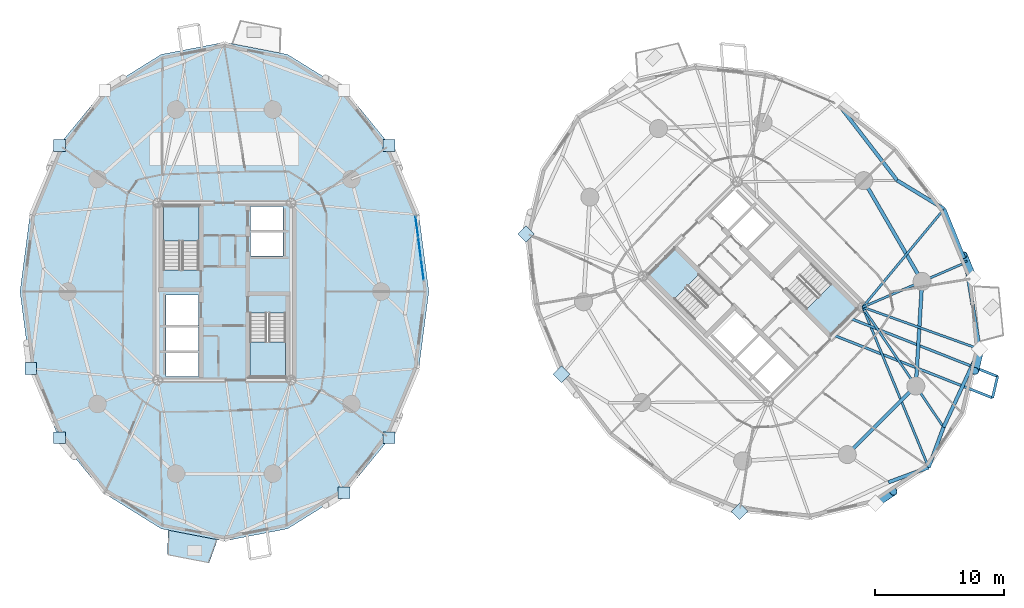
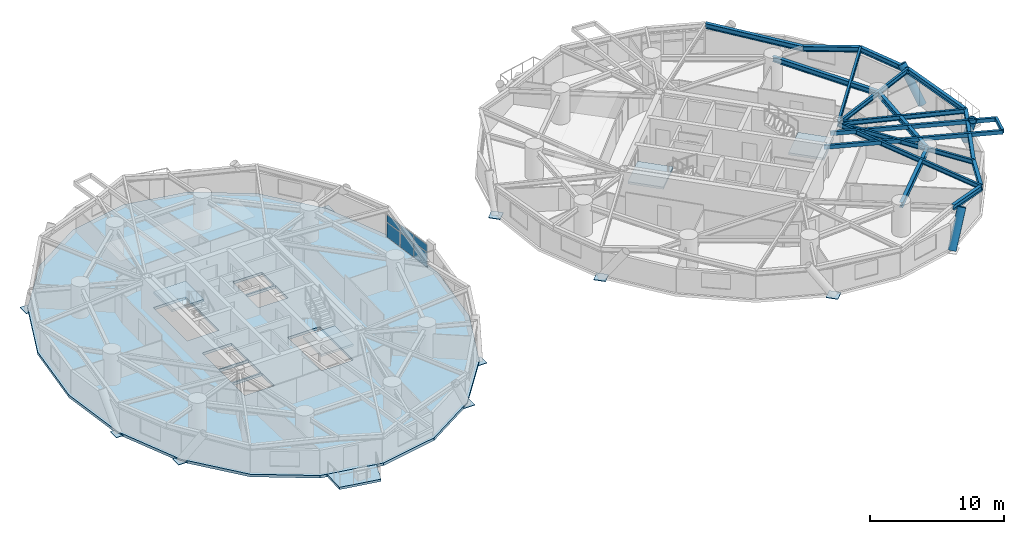
# One storey, part 8 of 18: 18 beams, 15 plates, 6 slabs, 3 members, 5 elements without a shape of their own.
"""IFC4 building model written with IfcOpenShell, lengths in metres."""

from ifc_helpers import new_model, si_unit, direction, frame, origin, origin_2d, place, context, subcontext, project, spatial, polyline, rectangle, hollow_rectangle, hollow_circle, i_section, outline, extrude, source, transform, mapped, material, layer, layer_set, material_profile, profile_set, type_object, element, aggregate, save


model = new_model("IFC4")

# Units and contexts
model_context = context("Model", 3, precision=1e-05, world=origin(), true_north=direction((0.0, 1.0)))
body_context = subcontext(model_context, "Body", "Model", "MODEL_VIEW")
ifc_project = project(units=[si_unit("LENGTHUNIT", "METRE"), si_unit("AREAUNIT", "SQUARE_METRE"), si_unit("VOLUMEUNIT", "CUBIC_METRE"), si_unit("PLANEANGLEUNIT", "RADIAN"), si_unit("MASSUNIT", "GRAM", prefix="KILO")], contexts=[model_context])

# Site, building, storey
site_placement = place(None, origin())
site = spatial("IfcSite", under=ifc_project, at=site_placement, CompositionType="ELEMENT")
building_placement = place(site_placement, origin())
building = spatial("IfcBuilding", under=site, at=building_placement, Name="Cununo Teusaquillo Station Towers", CompositionType="ELEMENT")
storey_placement = place(building_placement, frame((0.0, 0.0, 102.159912109375)))
storey = spatial("IfcBuildingStorey", under=building, at=storey_placement, Name="L32", CompositionType="ELEMENT", Elevation=102.159912109375)

# Beams
ifc_material_1 = material(Name="Steel EN 10025-2 S355J2", Category="steel")
ifc_material_profile_1 = material_profile(ifc_material_1, hollow_rectangle(XDim=0.199951171875, YDim=0.35009765625, WallThickness=0.013916015625, at=origin_2d()), Name="RHS 350x200x14")
ifc_profile_set_1 = profile_set([ifc_material_profile_1], Name="Steel EN 10025-2 S355J2")
beam_type_1 = type_object("IfcBeamType", Name="BM-BAL-CANT", PredefinedType="BEAM", material=ifc_profile_set_1)
beam_1_placement = place(storey_placement, frame((63.593505859375, 21.188720703125, 2.4951171875), z_axis=(0.930217566196, -0.367008555132, 0.0), x_axis=(0.367008555132, 0.930217566196, 0.0)))
element("IfcBeam", 1, at=beam_1_placement, inside=storey, type_object=beam_type_1, Name="L32 Tower B Balcony Cantilever Bracket 2A", PredefinedType="BEAM", context=body_context, shape_type="SweptSolid", body=[
    extrude(hollow_rectangle(XDim=0.199951171875, YDim=0.35009765625, WallThickness=0.013916015625, at=origin_2d()), origin(), (0.0, 0.0, 1.0), 13.44140625),
])
beam_2_placement = place(storey_placement, frame((64.894287109375, 22.48974609375, 2.4951171875), z_axis=(0.930220364523, -0.367001462432, 0.0), x_axis=(0.367001462432, 0.930220364523, 0.0)))
element("IfcBeam", 2, at=beam_2_placement, inside=storey, type_object=beam_type_1, Name="L32 Tower B Balcony Cantilever Bracket 2B", PredefinedType="BEAM", context=body_context, shape_type="SweptSolid", body=[
    extrude(hollow_rectangle(XDim=0.199951171875, YDim=0.35009765625, WallThickness=0.013916015625, at=origin_2d()), origin(), (0.0, 0.0, 1.0), 12.459716796875),
])
ifc_material_2 = material(Name="Steel ASTM A572 Grade 50", Category="steel")
ifc_material_profile_2 = material_profile(ifc_material_2, i_section(OverallWidth=0.180908203125, OverallDepth=0.4169921875, WebThickness=0.010986328125, FlangeThickness=0.018310546875, FilletRadius=0.012939453125, at=origin_2d()), Name="W16X57")
ifc_profile_set_2 = profile_set([ifc_material_profile_2], Name="Steel ASTM A572 Grade 50")
beam_type_2 = type_object("IfcBeamType", Name="BM-JOIST-1", PredefinedType="JOIST", material=ifc_profile_set_2)
beam_3_placement = place(storey_placement, frame((66.024169921875, 23.29443359375, 2.461669921875), z_axis=(0.380485864505, -0.924786735908, 0.0), x_axis=(0.924786735908, 0.380485864505, 0.0)))
element("IfcBeam", 3, at=beam_3_placement, inside=storey, type_object=beam_type_2, Name="L32 Tower B Radial Spandrel Joist V15", PredefinedType="JOIST", context=body_context, shape_type="SweptSolid", body=[
    extrude(i_section(OverallWidth=0.180908203125, OverallDepth=0.4169921875, WebThickness=0.010986328125, FlangeThickness=0.018310546875, FilletRadius=0.012939453125, at=origin_2d()), origin(), (0.0, 0.0, 1.0), 13.44580078125),
])
beam_4_placement = place(storey_placement, frame((66.024169921875, 23.29443359375, 2.461669921875), z_axis=(0.941082771055, -0.338176312038, 0.0), x_axis=(0.338176312038, 0.941082771055, 0.0)))
element("IfcBeam", 4, at=beam_4_placement, inside=storey, type_object=beam_type_2, Name="L32 Tower B Radial Spandrel Joist V17", PredefinedType="JOIST", context=body_context, shape_type="SweptSolid", body=[
    extrude(i_section(OverallWidth=0.180908203125, OverallDepth=0.4169921875, WebThickness=0.010986328125, FlangeThickness=0.018310546875, FilletRadius=0.012939453125, at=origin_2d()), origin(), (0.0, 0.0, 1.0), 9.646484375),
])
beam_5_placement = place(storey_placement, frame((66.024169921875, 23.29443359375, 2.461669921875), z_axis=(0.638372238196, 0.769727799615, 0.0), x_axis=(-0.769727799615, 0.638372238196, 0.0)))
element("IfcBeam", 5, at=beam_5_placement, inside=storey, type_object=beam_type_2, Name="L32 Tower B Radial Spandrel Joist V19", PredefinedType="JOIST", context=body_context, shape_type="SweptSolid", body=[
    extrude(i_section(OverallWidth=0.180908203125, OverallDepth=0.4169921875, WebThickness=0.010986328125, FlangeThickness=0.018310546875, FilletRadius=0.012939453125, at=origin_2d()), origin(), (0.0, 0.0, 1.0), 9.895263671875),
])
ifc_material_3 = material(Name="Steel ASTM A572 Grade 50", Category="steel")
ifc_material_profile_3 = material_profile(ifc_material_3, i_section(OverallWidth=0.180908203125, OverallDepth=0.4169921875, WebThickness=0.010986328125, FlangeThickness=0.018310546875, FilletRadius=0.012939453125, at=origin_2d()), Name="W16X57")
ifc_profile_set_3 = profile_set([ifc_material_profile_3], Name="Steel ASTM A572 Grade 50")
beam_type_3 = type_object("IfcBeamType", Name="BM-RAD-G2", PredefinedType="BEAM", material=ifc_profile_set_3)
beam_6_placement = place(storey_placement, frame((66.024169921875, 23.29443359375, 2.461669921875), z_axis=(0.558572297481, -0.82945583878, 0.0), x_axis=(0.82945583878, 0.558572297481, 0.0)))
element("IfcBeam", 6, at=beam_6_placement, inside=storey, type_object=beam_type_3, Name="L32 Tower B Continuous Overhanging Radial Girder 09", PredefinedType="BEAM", context=body_context, shape_type="SweptSolid", body=[
    extrude(i_section(OverallWidth=0.180908203125, OverallDepth=0.4169921875, WebThickness=0.010986328125, FlangeThickness=0.018310546875, FilletRadius=0.012939453125, at=origin_2d()), origin(), (0.0, 0.0, 1.0), 11.22998046875),
])
beam_7_placement = place(storey_placement, frame((66.024169921875, 23.29443359375, 2.461669921875), z_axis=(0.917654733344, 0.397378648609, 0.0), x_axis=(-0.397378648609, 0.917654733344, 0.0)))
element("IfcBeam", 7, at=beam_7_placement, inside=storey, type_object=beam_type_3, Name="L32 Tower B Continuous Overhanging Radial Girder 10", PredefinedType="BEAM", context=body_context, shape_type="SweptSolid", body=[
    extrude(i_section(OverallWidth=0.180908203125, OverallDepth=0.4169921875, WebThickness=0.010986328125, FlangeThickness=0.018310546875, FilletRadius=0.012939453125, at=origin_2d()), origin(), (0.0, 0.0, 1.0), 8.71484375),
])
ifc_material_4 = material(Name="Steel ASTM A572 Grade 50", Category="steel")
ifc_material_profile_4 = material_profile(ifc_material_4, i_section(OverallWidth=0.280029296875, OverallDepth=0.462890625, WebThickness=0.0107421875, FlangeThickness=0.017333984375, FilletRadius=0.013916015625, at=origin_2d()), Name="W18X76")
ifc_profile_set_4 = profile_set([ifc_material_profile_4], Name="Steel ASTM A572 Grade 50")
beam_type_4 = type_object("IfcBeamType", Name="BM-RING-Z2", PredefinedType="SPANDREL", material=ifc_profile_set_4)
beam_8_placement = place(storey_placement, frame((64.826904296875, 11.853759765625, 2.4384765625), z_axis=(0.707106781187, 0.707106781187, 0.0), x_axis=(-0.707106781187, 0.707106781187, 0.0)))
element("IfcBeam", 8, at=beam_8_placement, inside=storey, type_object=beam_type_4, Name="L32 Tower B Structural Column Ring Girder 08", PredefinedType="SPANDREL", context=body_context, shape_type="SweptSolid", body=[
    extrude(i_section(OverallWidth=0.280029296875, OverallDepth=0.462890625, WebThickness=0.0107421875, FlangeThickness=0.017333984375, FilletRadius=0.013916015625, at=origin_2d()), origin(), (0.0, 0.0, 1.0), 7.522705078125),
])
beam_9_placement = place(storey_placement, frame((70.146240234375, 17.173095703125, 2.4384765625), z_axis=(0.06012979176, 0.998190567048, 0.0), x_axis=(-0.998190567048, 0.06012979176, 0.0)))
element("IfcBeam", 9, at=beam_9_placement, inside=storey, type_object=beam_type_4, Name="L32 Tower B Structural Column Ring Girder 09", PredefinedType="SPANDREL", context=body_context, shape_type="SweptSolid", body=[
    extrude(i_section(OverallWidth=0.280029296875, OverallDepth=0.462890625, WebThickness=0.0107421875, FlangeThickness=0.017333984375, FilletRadius=0.013916015625, at=origin_2d()), origin(), (0.0, 0.0, 1.0), 8.132568359375),
])
beam_10_placement = place(storey_placement, frame((70.63525390625, 25.291015625, 2.4384765625), z_axis=(-0.501311121078, 0.865267103202, 0.0), x_axis=(-0.865267103202, -0.501311121078, 0.0)))
element("IfcBeam", 10, at=beam_10_placement, inside=storey, type_object=beam_type_4, Name="L32 Tower B Structural Column Ring Girder 10", PredefinedType="SPANDREL", context=body_context, shape_type="SweptSolid", body=[
    extrude(i_section(OverallWidth=0.280029296875, OverallDepth=0.462890625, WebThickness=0.0107421875, FlangeThickness=0.017333984375, FilletRadius=0.013916015625, at=origin_2d()), origin(), (0.0, 0.0, 1.0), 9.032958984375),
])
beam_11_placement = place(storey_placement, frame((68.694580078125, 33.12890625, 2.4384765625), z_axis=(-0.610100441726, 0.792324082056, 0.0), x_axis=(-0.792324082056, -0.610100441726, 0.0)))
element("IfcBeam", 11, at=beam_11_placement, inside=storey, type_object=beam_type_4, Name="L32 Tower B Spandrel Ring Beam 01", PredefinedType="SPANDREL", context=body_context, shape_type="SweptSolid", body=[
    extrude(i_section(OverallWidth=0.280029296875, OverallDepth=0.462890625, WebThickness=0.0107421875, FlangeThickness=0.017333984375, FilletRadius=0.013916015625, at=origin_2d()), origin(), (0.0, 0.0, 1.0), 7.84033203125),
])
for number, where, z_axis, x_axis, name in (
    (12, (68.020263671875, 9.703125, 2.4384765625), (0.937628334414, 0.347639333943, 0.0), (-0.347639333943, 0.937628334414, 0.0), "L32 Tower B Spandrel Ring Beam 15"),
    (13, (71.14013671875, 10.85986328125, 2.4384765625), (0.347639333943, 0.937628334414, 0.0), (-0.937628334414, 0.347639333943, 0.0), "L32 Tower B Spandrel Ring Beam 16"),
):
    element("IfcBeam", number, at=place(storey_placement, frame(where, z_axis=z_axis, x_axis=x_axis)), inside=storey, type_object=beam_type_4, Name=name, PredefinedType="SPANDREL", context=body_context, shape_type="SweptSolid", body=[
        extrude(i_section(OverallWidth=0.280029296875, OverallDepth=0.462890625, WebThickness=0.0107421875, FlangeThickness=0.017333984375, FilletRadius=0.013916015625, at=origin_2d()), origin(), (0.0, 0.0, 1.0), 3.327392578125),
    ])
beam_12_placement = place(storey_placement, frame((72.296875, 13.979736328125, 2.4384765625), z_axis=(0.420535961689, 0.907275870354, 0.0), x_axis=(-0.907275870354, 0.420535961689, 0.0)))
element("IfcBeam", 14, at=beam_12_placement, inside=storey, type_object=beam_type_4, Name="L32 Tower B Spandrel Ring Beam 17", PredefinedType="SPANDREL", context=body_context, shape_type="SweptSolid", body=[
    extrude(i_section(OverallWidth=0.280029296875, OverallDepth=0.462890625, WebThickness=0.0107421875, FlangeThickness=0.017333984375, FilletRadius=0.013916015625, at=origin_2d()), origin(), (0.0, 0.0, 1.0), 6.671142578125),
])
beam_13_placement = place(storey_placement, frame((75.102294921875, 20.0322265625, 2.4384765625), z_axis=(-0.158671232312, 0.987331474246, 0.0), x_axis=(-0.987331474246, -0.158671232312, 0.0)))
element("IfcBeam", 15, at=beam_13_placement, inside=storey, type_object=beam_type_4, Name="L32 Tower B Spandrel Ring Beam 18", PredefinedType="SPANDREL", context=body_context, shape_type="SweptSolid", body=[
    extrude(i_section(OverallWidth=0.280029296875, OverallDepth=0.462890625, WebThickness=0.0107421875, FlangeThickness=0.017333984375, FilletRadius=0.013916015625, at=origin_2d()), origin(), (0.0, 0.0, 1.0), 6.8115234375),
])
beam_14_placement = place(storey_placement, frame((74.021484375, 26.757568359375, 2.4384765625), z_axis=(-0.375042266631, 0.927007712072, 0.0), x_axis=(-0.927007712072, -0.375042266631, 0.0)))
element("IfcBeam", 16, at=beam_14_placement, inside=storey, type_object=beam_type_4, Name="L32 Tower B Spandrel Ring Beam 19", PredefinedType="SPANDREL", context=body_context, shape_type="SweptSolid", body=[
    extrude(i_section(OverallWidth=0.280029296875, OverallDepth=0.462890625, WebThickness=0.0107421875, FlangeThickness=0.017333984375, FilletRadius=0.013916015625, at=origin_2d()), origin(), (0.0, 0.0, 1.0), 4.480712890625),
])
beam_15_placement = place(storey_placement, frame((72.341064453125, 30.9111328125, 2.4384765625), z_axis=(-0.854388492444, 0.519634779416, 0.0), x_axis=(-0.519634779416, -0.854388492444, 0.0)))
element("IfcBeam", 17, at=beam_15_placement, inside=storey, type_object=beam_type_4, Name="L32 Tower B Spandrel Ring Beam 20", PredefinedType="SPANDREL", context=body_context, shape_type="SweptSolid", body=[
    extrude(i_section(OverallWidth=0.280029296875, OverallDepth=0.462890625, WebThickness=0.0107421875, FlangeThickness=0.017333984375, FilletRadius=0.013916015625, at=origin_2d()), origin(), (0.0, 0.0, 1.0), 4.26806640625),
])
ifc_material_5 = material(Name="Steel EN 10025-2 S355J2", Category="steel")
ifc_material_profile_5 = material_profile(ifc_material_5, hollow_rectangle(XDim=0.199951171875, YDim=0.35009765625, WallThickness=0.013916015625, at=origin_2d()), Name="RHS 350x200x14")
ifc_profile_set_5 = profile_set([ifc_material_profile_5], Name="Steel EN 10025-2 S355J2")
beam_type_5 = type_object("IfcBeamType", Name="BM-STAIR-TRIM", PredefinedType="BEAM", material=ifc_profile_set_5)
beam_16_placement = place(storey_placement, frame((76.096923828125, 16.255615234375, 2.525146484375), z_axis=(0.22725223503, 0.973835931599, 0.0), x_axis=(-0.973835931599, 0.22725223503, 0.0)))
element("IfcBeam", 18, at=beam_16_placement, inside=storey, type_object=beam_type_5, Name="L32 Tower B Balcony Edge Trimmer Beam 2", PredefinedType="BEAM", context=body_context, shape_type="SweptSolid", body=[
    extrude(hollow_rectangle(XDim=0.199951171875, YDim=0.35009765625, WallThickness=0.013916015625, at=origin_2d()), origin(), (0.0, 0.0, 1.0), 1.7060546875),
])

# Members
ifc_material_6 = material(Name="Steel EN 10025-2 S355J2", Category="steel")
ifc_material_profile_6 = material_profile(ifc_material_6, hollow_circle(Radius=0.330078125, WallThickness=0.02490234375, at=origin_2d()), Name="CHS 660x25")
ifc_profile_set_6 = profile_set([ifc_material_profile_6], Name="Steel EN 10025-2 S355J2")
member_type = type_object("IfcMemberType", Name="MBR-DIAG-Z2", PredefinedType="BRACE", material=ifc_profile_set_6)
member_1_placement = place(storey_placement, frame((67.019775390625, 8.07470703125, -0.139892578125), z_axis=(0.410124934173, 0.277231625428, 0.868872927552), x_axis=(-0.560024081213, 0.828476329452, 0.0)))
element("IfcMember", 19, at=member_1_placement, inside=storey, type_object=member_type, Name="L32 Tower B Folded-Zigzag Diagrid Tube C14", PredefinedType="BRACE", context=body_context, shape_type="SweptSolid", body=[
    extrude(hollow_circle(Radius=0.330078125, WallThickness=0.02490234375, at=origin_2d()), origin(), (0.0, 0.0, 1.0), 3.34912109375),
])
member_2_placement = place(storey_placement, frame((75.102294921875, 20.0322265625, -0.139892578125), z_axis=(-0.115910772147, -0.497471434658, 0.859701613701), x_axis=(0.973913029911, -0.226921594761, 0.0)))
element("IfcMember", 20, at=member_2_placement, inside=storey, type_object=member_type, Name="L32 Tower B Folded-Zigzag Diagrid Tube C16", PredefinedType="BRACE", context=body_context, shape_type="SweptSolid", body=[
    extrude(hollow_circle(Radius=0.330078125, WallThickness=0.02490234375, at=origin_2d()), origin(), (0.0, 0.0, 1.0), 3.384765625),
])
member_3_placement = place(storey_placement, frame((74.556640625, 25.521728515625, -0.139892578125), z_axis=(-0.211093316399, 0.51346268498, 0.83174255807), x_axis=(-0.924888817599, -0.380237656053, 0.0)))
element("IfcMember", 21, at=member_3_placement, inside=storey, type_object=member_type, Name="L32 Tower B Folded-Zigzag Diagrid Tube C18", PredefinedType="BRACE", context=body_context, shape_type="SweptSolid", body=[
    extrude(hollow_circle(Radius=0.330078125, WallThickness=0.02490234375, at=origin_2d()), origin(), (0.0, 0.0, 1.0), 3.49853515625),
])

# Slab
ifc_material_7 = material(Name="Concrete C50/60", Category="concrete")
ifc_layer_1 = layer(ifc_material_7, 0.2099609375)
ifc_layer_set_1 = layer_set([ifc_layer_1], Name="Concrete C50/60")
slab_type_1 = type_object("IfcSlabType", Name="SLB-BAL-210", PredefinedType="FLOOR", material=ifc_layer_set_1)
slab_1_placement = place(storey_placement, frame((0.0, 0.0, -0.2099609375)))
element("IfcSlab", 22, at=slab_1_placement, inside=storey, type_object=slab_type_1, Name="L32 Tower A Tree Balcony Slab 2", PredefinedType="FLOOR", context=body_context, shape_type="SweptSolid", body=[
    extrude(outline(polyline([(12.1376953125, 5.98779296875), (15.958984375, 5.24951171875), (15.30126953125, 3.426025390625), (12.069091796875, 4.05078125), (12.1376953125, 5.98779296875)])), origin(), (0.0, 0.0, 1.0), 0.2099609375),
])

# Stair, slab
ifc_material_8 = material(Name="Concrete C50/60", Category="concrete")
stair_type = type_object("IfcStairType", Name="ST-TWR-1300", PredefinedType="HALF_TURN_STAIR", material=ifc_material_8)
stair_1_placement = place(storey_placement, origin())
stair_1 = element("IfcStair", 23, at=stair_1_placement, inside=storey, type_object=stair_type, Name="L32 Tower A Protected Core Exit Stair 1", PredefinedType="HALF_TURN_STAIR")
ifc_material_9 = material(Name="Concrete C50/60", Category="concrete")
ifc_layer_2 = layer(ifc_material_9, 0.199951171875)
ifc_layer_set_2 = layer_set([ifc_layer_2], Name="Concrete C50/60")
slab_type_2 = type_object("IfcSlabType", Name="SLB-STAIR-LND", PredefinedType="LANDING", material=ifc_layer_set_2)
slab_2_placement = place(storey_placement, frame((0.0, 0.0, 1.255126953125)))
slab_2 = element("IfcSlab", 24, at=slab_2_placement, type_object=slab_type_2, Name="ST-T1-1 landing 1", PredefinedType="LANDING", context=body_context, shape_type="SweptSolid", body=[
    extrude(outline(polyline([(14.52001953125, 28.409912109375), (14.52001953125, 31.159912109375), (11.760009765625, 31.159912109375), (11.760009765625, 28.409912109375), (14.52001953125, 28.409912109375)])), origin(), (0.0, 0.0, 1.0), 0.199951171875),
])
aggregate(stair_1, [slab_2])

stair_2_placement = place(storey_placement, origin())
stair_2 = element("IfcStair", 25, at=stair_2_placement, inside=storey, type_object=stair_type, Name="L32 Tower A Protected Core Exit Stair 2", PredefinedType="HALF_TURN_STAIR")
slab_3_placement = place(storey_placement, frame((0.0, 0.0, 1.255126953125)))
slab_3 = element("IfcSlab", 26, at=slab_3_placement, type_object=slab_type_2, Name="ST-T1-2 landing 1", PredefinedType="LANDING", context=body_context, shape_type="SweptSolid", body=[
    extrude(outline(polyline([(18.47998046875, 20.590087890625), (18.47998046875, 17.840087890625), (21.239990234375, 17.840087890625), (21.239990234375, 20.590087890625), (18.47998046875, 20.590087890625)])), origin(), (0.0, 0.0, 1.0), 0.199951171875),
])
aggregate(stair_2, [slab_3])

stair_3_placement = place(storey_placement, origin())
stair_3 = element("IfcStair", 27, at=stair_3_placement, inside=storey, type_object=stair_type, Name="L32 Tower B Protected Core Exit Stair 1", PredefinedType="HALF_TURN_STAIR")
slab_4_placement = place(storey_placement, frame((0.0, 0.0, 1.255126953125)))
slab_4 = element("IfcSlab", 28, at=slab_4_placement, type_object=slab_type_2, Name="ST-T2-1 landing 1", PredefinedType="LANDING", context=body_context, shape_type="SweptSolid", body=[
    extrude(outline(polyline([(53.335205078125, 25.86474609375), (51.390625, 27.809326171875), (49.43896484375, 25.857666015625), (51.383544921875, 23.9130859375), (53.335205078125, 25.86474609375)])), origin(), (0.0, 0.0, 1.0), 0.199951171875),
])
aggregate(stair_3, [slab_4])

stair_4_placement = place(storey_placement, origin())
stair_4 = element("IfcStair", 29, at=stair_4_placement, inside=storey, type_object=stair_type, Name="L32 Tower B Protected Core Exit Stair 2", PredefinedType="HALF_TURN_STAIR")
slab_5_placement = place(storey_placement, frame((0.0, 0.0, 1.255126953125)))
slab_5 = element("IfcSlab", 30, at=slab_5_placement, type_object=slab_type_2, Name="ST-T2-2 landing 1", PredefinedType="LANDING", context=body_context, shape_type="SweptSolid", body=[
    extrude(outline(polyline([(61.664794921875, 23.13525390625), (63.609375, 21.190673828125), (65.56103515625, 23.142333984375), (63.616455078125, 25.0869140625), (61.664794921875, 23.13525390625)])), origin(), (0.0, 0.0, 1.0), 0.199951171875),
])
aggregate(stair_4, [slab_5])

# Slab
ifc_material_10 = material(Name="Concrete C40/50", Category="concrete")
ifc_layer_3 = layer(ifc_material_10, 0.239990234375)
ifc_layer_set_3 = layer_set([ifc_layer_3], Name="Concrete C40/50")
slab_type_3 = type_object("IfcSlabType", Name="SLB-Z2-240", PredefinedType="FLOOR", material=ifc_layer_set_3)
slab_6_placement = place(storey_placement, frame((0.0, 0.0, -0.239990234375)))
element("IfcSlab", 31, at=slab_6_placement, inside=storey, type_object=slab_type_3, Name="L32 Tower A Floor Slab", PredefinedType="FLOOR", context=body_context, shape_type="SweptSolid", body=[
    extrude(outline(polyline([(32.361083984375, 24.5), (31.584716796875, 30.4794921875), (29.331787109375, 35.87353515625), (25.822998046875, 40.154541015625), (21.4013671875, 42.90283203125), (16.5, 43.85009765625), (11.5986328125, 42.90283203125), (7.177001953125, 40.154541015625), (3.668212890625, 35.87353515625), (1.415283203125, 30.4794921875), (0.638916015625, 24.5), (1.415283203125, 18.5205078125), (3.668212890625, 13.12646484375), (7.177001953125, 8.845458984375), (11.5986328125, 6.09716796875), (16.5, 5.14990234375), (21.4013671875, 6.09716796875), (25.822998046875, 8.845458984375), (29.331787109375, 13.12646484375), (31.584716796875, 18.5205078125), (32.361083984375, 24.5)]), holes=[polyline([(14.52001953125, 26.176025390625), (14.52001953125, 31.159912109375), (11.760009765625, 31.159912109375), (11.760009765625, 26.176025390625), (14.52001953125, 26.176025390625)]), polyline([(18.47998046875, 22.823974609375), (18.47998046875, 17.840087890625), (21.239990234375, 17.840087890625), (21.239990234375, 22.823974609375), (18.47998046875, 22.823974609375)]), polyline([(11.949951171875, 21.85009765625), (14.47998046875, 21.85009765625), (14.47998046875, 24.25), (11.949951171875, 24.25), (11.949951171875, 21.85009765625)]), polyline([(11.949951171875, 17.89990234375), (14.47998046875, 17.89990234375), (14.47998046875, 19.75), (11.949951171875, 19.75), (11.949951171875, 17.89990234375)]), polyline([(11.949951171875, 19.89990234375), (14.47998046875, 19.89990234375), (14.47998046875, 21.75), (11.949951171875, 21.75), (11.949951171875, 19.89990234375)]), polyline([(18.52001953125, 27.25), (21.050048828125, 27.25), (21.050048828125, 29.10009765625), (18.52001953125, 29.10009765625), (18.52001953125, 27.25)]), polyline([(18.52001953125, 29.25), (21.050048828125, 29.25), (21.050048828125, 31.10009765625), (18.52001953125, 31.10009765625), (18.52001953125, 29.25)])]), origin(), (0.0, 0.0, 1.0), 0.239990234375),
])

# Plates
ifc_material_11 = material(Name="Steel ASTM A572 Grade 50", Category="steel")
ifc_layer_4 = layer(ifc_material_11, 0.050048828125)
ifc_layer_set_4 = layer_set([ifc_layer_4], Name="Steel ASTM A572 Grade 50")
plate_type_1 = type_object("IfcPlateType", Name="PLT-NODE-DN1", PredefinedType="USERDEFINED", material=ifc_layer_set_4)
shared_shape_1 = source(origin(), body_context, "Body", "SweptSolid", [
    extrude(rectangle(XDim=0.919921875, YDim=0.919921875, at=origin_2d()), origin(), (0.0, 0.0, 1.0), 0.050048828125),
])
for number, where, z_axis, x_axis, name in (
    (32, (29.283203125, 35.83837890625, -0.1650390625), (0.0, 0.0, 1.0), (1.0, 0.0, 0.0), "L32 Tower A Diagrid Node Assembly C01"),
    (33, (3.716796875, 35.83837890625, -0.1650390625), (0.0, 0.0, 1.0), (1.0, 0.0, 0.0), "L32 Tower A Diagrid Node Assembly C08"),
    (34, (1.472412109375, 18.5390625, -0.1650390625), (0.0, 0.0, 1.0), (1.0, 0.0, 0.0), "L32 Tower A Diagrid Node Assembly C10"),
    (35, (3.716796875, 13.16162109375, -0.1650390625), (0.0, 0.0, 1.0), (1.0, 0.0, 0.0), "L32 Tower A Diagrid Node Assembly C12"),
    (36, (25.78759765625, 8.89404296875, -0.1650390625), (0.0, 0.0, 1.0), (1.0, 0.0, 0.0), "L32 Tower A Diagrid Node Assembly C16"),
    (37, (29.283203125, 13.16162109375, -0.1650390625), (0.0, 0.0, 1.0), (1.0, 0.0, 0.0), "L32 Tower A Diagrid Node Assembly C18"),
    (38, (39.897705078125, 28.9677734375, -0.1650390625), (0.0, 0.0, 1.0), (0.707106781187, 0.707106781187, 0.0), "L32 Tower B Diagrid Node Assembly C06"),
    (39, (42.658935546875, 18.0888671875, -0.1650390625), (0.0, 0.0, 1.0), (0.707106781187, 0.707106781187, 0.0), "L32 Tower B Diagrid Node Assembly C09"),
    (40, (56.478271484375, 7.443359375, -0.1650390625), (0.0, 0.0, 1.0), (0.707106781187, 0.707106781187, 0.0), "L32 Tower B Diagrid Node Assembly C11"),
):
    element("IfcPlate", number, at=place(storey_placement, frame(where, z_axis=z_axis, x_axis=x_axis)), inside=storey, type_object=plate_type_1, Name=name, ObjectType="GUSSET PLATE", PredefinedType="USERDEFINED", context=body_context, shape_type="MappedRepresentation", body=[
        mapped(shared_shape_1, transform((0.0, 0.0, 0.0), x_axis=(1.0, 0.0, 0.0), y_axis=(0.0, 1.0, 0.0), z_axis=(0.0, 0.0, 1.0), scale=1.0)),
    ])

# Curtain wall, plates
ifc_material_12 = material(Name="Ceramic-fritted dark low-E double glazing", Category="glass")
ifc_layer_5 = layer(ifc_material_12, 0.179931640625)
ifc_layer_set_5 = layer_set([ifc_layer_5], Name="Ceramic-fritted dark low-E double glazing")
curtain_wall_type = type_object("IfcCurtainWallType", Name="CW-SYS-04", PredefinedType="USERDEFINED", material=ifc_layer_set_5)
curtain_wall_placement = place(storey_placement, origin())
curtain_wall = element("IfcCurtainWall", 41, at=curtain_wall_placement, inside=storey, type_object=curtain_wall_type, Name="L32 Tower A Facade Curtain Wall C00", ObjectType="FRITTED GLAZING", PredefinedType="USERDEFINED")
ifc_material_13 = material(Name="Ceramic-fritted dark low-E double glazing", Category="glass")
ifc_layer_6 = layer(ifc_material_13, 0.028076171875)
ifc_layer_set_6 = layer_set([ifc_layer_6], Name="Ceramic-fritted dark low-E double glazing")
plate_type_2 = type_object("IfcPlateType", Name="CWP-FRIT-28", PredefinedType="CURTAIN_PANEL", material=ifc_layer_set_6)
shared_shape_2 = source(origin(), body_context, "Body", "SweptSolid", [
    extrude(rectangle(XDim=1.59228515625, YDim=0.028076171875, at=origin_2d()), origin(), (0.0, 0.0, 1.0), 1.31103515625),
])
plate_1_placement = place(storey_placement, frame((31.429443359375, 29.533935546875, 0.070068359375), z_axis=(0.0, 0.0, 1.0), x_axis=(0.128335852387, -0.991730764367, 0.0)))
plate_1 = element("IfcPlate", 42, at=plate_1_placement, type_object=plate_type_2, Name="CW-04 panel 1.1", PredefinedType="CURTAIN_PANEL", context=body_context, shape_type="MappedRepresentation", body=[
    mapped(shared_shape_2, transform((0.0, 0.0, 0.0), x_axis=(1.0, 0.0, 0.0), y_axis=(0.0, 1.0, 0.0), z_axis=(0.0, 0.0, 1.0), scale=1.0)),
])
plate_2_placement = place(storey_placement, frame((31.86083984375, 26.201904296875, 0.070068359375), z_axis=(0.0, 0.0, 1.0), x_axis=(0.128335852387, -0.991730764367, 0.0)))
plate_2 = element("IfcPlate", 43, at=plate_2_placement, type_object=plate_type_2, Name="CW-04 panel 3.1", PredefinedType="CURTAIN_PANEL", context=body_context, shape_type="MappedRepresentation", body=[
    mapped(shared_shape_2, transform((0.0, 0.0, 0.0), x_axis=(1.0, 0.0, 0.0), y_axis=(0.0, 1.0, 0.0), z_axis=(0.0, 0.0, 1.0), scale=1.0)),
])
shared_shape_3 = source(origin(), body_context, "Body", "SweptSolid", [
    extrude(rectangle(XDim=1.59228515625, YDim=0.028076171875, at=origin_2d()), origin(), (0.0, 0.0, 1.0), 0.657958984375),
])
plate_3_placement = place(storey_placement, frame((31.429443359375, 29.533935546875, 1.451171875), z_axis=(0.0, 0.0, 1.0), x_axis=(0.128335852387, -0.991730764367, 0.0)))
plate_3 = element("IfcPlate", 44, at=plate_3_placement, type_object=plate_type_2, Name="CW-04 panel 1.2", PredefinedType="CURTAIN_PANEL", context=body_context, shape_type="MappedRepresentation", body=[
    mapped(shared_shape_3, transform((0.0, 0.0, 0.0), x_axis=(1.0, 0.0, 0.0), y_axis=(0.0, 1.0, 0.0), z_axis=(0.0, 0.0, 1.0), scale=1.0)),
])
plate_4_placement = place(storey_placement, frame((31.86083984375, 26.201904296875, 1.451171875), z_axis=(0.0, 0.0, 1.0), x_axis=(0.128335852387, -0.991730764367, 0.0)))
plate_4 = element("IfcPlate", 45, at=plate_4_placement, type_object=plate_type_2, Name="CW-04 panel 3.2", PredefinedType="CURTAIN_PANEL", context=body_context, shape_type="MappedRepresentation", body=[
    mapped(shared_shape_3, transform((0.0, 0.0, 0.0), x_axis=(1.0, 0.0, 0.0), y_axis=(0.0, 1.0, 0.0), z_axis=(0.0, 0.0, 1.0), scale=1.0)),
])
shared_shape_4 = source(origin(), body_context, "Body", "SweptSolid", [
    extrude(rectangle(XDim=1.62744140625, YDim=0.028076171875, at=origin_2d()), origin(), (0.0, 0.0, 1.0), 1.31103515625),
])
plate_5_placement = place(storey_placement, frame((31.645263671875, 27.867919921875, 0.070068359375), z_axis=(0.0, 0.0, 1.0), x_axis=(0.128335852387, -0.991730764367, 0.0)))
plate_5 = element("IfcPlate", 46, at=plate_5_placement, type_object=plate_type_2, Name="CW-04 panel 2.1", PredefinedType="CURTAIN_PANEL", context=body_context, shape_type="MappedRepresentation", body=[
    mapped(shared_shape_4, transform((0.0, 0.0, 0.0), x_axis=(1.0, 0.0, 0.0), y_axis=(0.0, 1.0, 0.0), z_axis=(0.0, 0.0, 1.0), scale=1.0)),
])
shared_shape_5 = source(origin(), body_context, "Body", "SweptSolid", [
    extrude(rectangle(XDim=1.62744140625, YDim=0.028076171875, at=origin_2d()), origin(), (0.0, 0.0, 1.0), 0.657958984375),
])
plate_6_placement = place(storey_placement, frame((31.645263671875, 27.867919921875, 1.451171875), z_axis=(0.0, 0.0, 1.0), x_axis=(0.128335852387, -0.991730764367, 0.0)))
plate_6 = element("IfcPlate", 47, at=plate_6_placement, type_object=plate_type_2, Name="CW-04 panel 2.2", PredefinedType="CURTAIN_PANEL", context=body_context, shape_type="MappedRepresentation", body=[
    mapped(shared_shape_5, transform((0.0, 0.0, 0.0), x_axis=(1.0, 0.0, 0.0), y_axis=(0.0, 1.0, 0.0), z_axis=(0.0, 0.0, 1.0), scale=1.0)),
])
aggregate(curtain_wall, [plate_1, plate_3, plate_5, plate_6, plate_2, plate_4])

save(model, "model.ifc")
